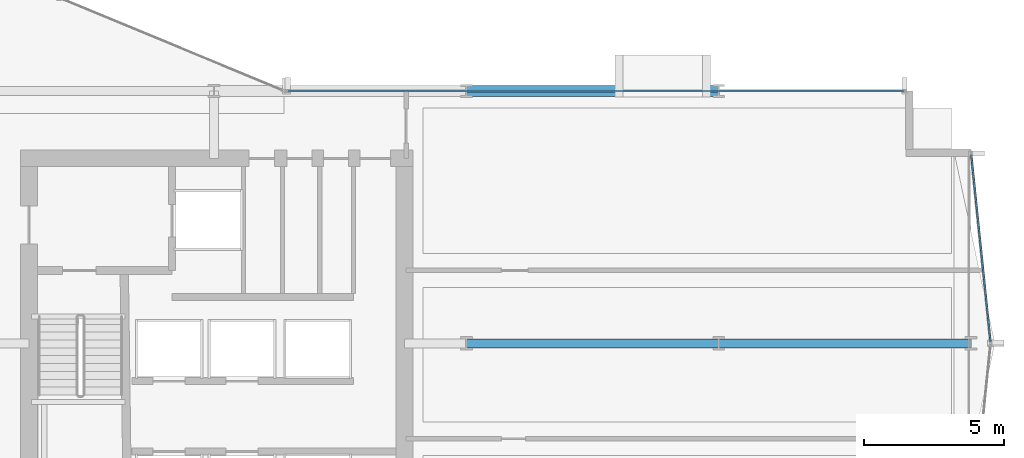
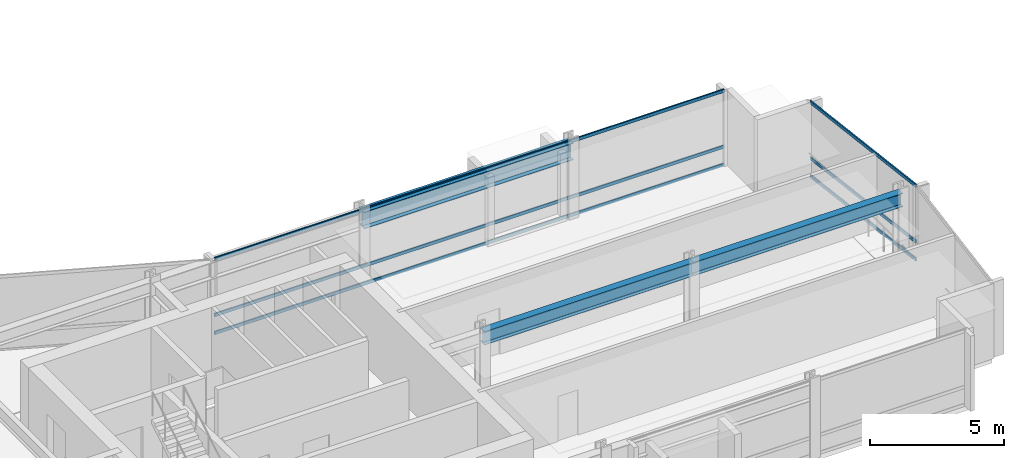
# One storey, part 16 of 34: 6 members, 3 beams, 2 elements without a shape of their own.
"""IFC4 building model written with IfcOpenShell, lengths in metres."""

from ifc_helpers import new_model, si_unit, direction, frame, origin, origin_2d, place, context, subcontext, project, spatial, hollow_rectangle, i_section, extrude, material, layer, layer_set, material_profile, profile_set, type_object, element, aggregate, save


model = new_model("IFC4")

# Units and contexts
model_context = context("Model", 3, precision=1e-05, world=origin(), true_north=direction((0.0, 1.0)))
body_context = subcontext(model_context, "Body", "Model", "MODEL_VIEW")
ifc_project = project(units=[si_unit("LENGTHUNIT", "METRE"), si_unit("AREAUNIT", "SQUARE_METRE"), si_unit("VOLUMEUNIT", "CUBIC_METRE"), si_unit("PLANEANGLEUNIT", "RADIAN"), si_unit("MASSUNIT", "GRAM", prefix="KILO")], contexts=[model_context])

# Site, building, storey
site_placement = place(None, origin())
site = spatial("IfcSite", under=ifc_project, at=site_placement, CompositionType="ELEMENT")
building_placement = place(site_placement, origin())
building = spatial("IfcBuilding", under=site, at=building_placement, Name="Solvaryn Broadcast Tower", CompositionType="ELEMENT")
storey_placement = place(building_placement, frame((0.0, 0.0, 73.0)))
storey = spatial("IfcBuildingStorey", under=building, at=storey_placement, Name="L17", CompositionType="ELEMENT", Elevation=73.0)

# Beams
ifc_material_1 = material(Name="Steel ASTM A992 Grade 50", Category="steel")
ifc_material_profile_1 = material_profile(ifc_material_1, i_section(OverallWidth=0.323974609375, OverallDepth=0.611083984375, WebThickness=0.0126953125, FlangeThickness=0.01904296875, FilletRadius=0.014892578125, at=origin_2d()))
ifc_profile_set_1 = profile_set([ifc_material_profile_1], Name="Steel ASTM A992 Grade 50")
beam_type_1 = type_object("IfcBeamType", Name="BM-B1-W24X104", PredefinedType="BEAM", material=ifc_profile_set_1)
for number, where, z_axis, x_axis, name in (
    (1, (45.0, 18.0, 3.114501953125), (1.0, 0.0, 0.0), (0.0, 1.0, 0.0), "L17 Primary Beam X (45-54 @ Y=18)"),
    (2, (54.0, 18.0, 3.114501953125), (1.0, 0.0, 0.0), (0.0, 1.0, 0.0), "L17 Primary Beam X (54-63 @ Y=18)"),
):
    element("IfcBeam", number, at=place(storey_placement, frame(where, z_axis=z_axis, x_axis=x_axis)), inside=storey, type_object=beam_type_1, Name=name, PredefinedType="BEAM", context=body_context, shape_type="SweptSolid", body=[
        extrude(i_section(OverallWidth=0.323974609375, OverallDepth=0.611083984375, WebThickness=0.0126953125, FlangeThickness=0.01904296875, FilletRadius=0.014892578125, at=origin_2d()), origin(), (0.0, 0.0, 1.0), 9.0),
    ])
ifc_material_2 = material(Name="Steel ASTM A992 Grade 50", Category="steel")
ifc_material_profile_2 = material_profile(ifc_material_2, i_section(OverallWidth=0.381103515625, OverallDepth=0.77294921875, WebThickness=0.0166015625, FlangeThickness=0.027099609375, FilletRadius=0.01806640625, at=origin_2d()))
ifc_profile_set_2 = profile_set([ifc_material_profile_2], Name="Steel ASTM A992 Grade 50")
beam_type_2 = type_object("IfcBeamType", Name="BM-SP1-W30X173", PredefinedType="USERDEFINED", material=ifc_profile_set_2)
beam_placement = place(storey_placement, frame((45.0, 27.0, 3.033447265625), z_axis=(1.0, 0.0, 0.0), x_axis=(0.0, 1.0, 0.0)))
element("IfcBeam", 3, at=beam_placement, inside=storey, type_object=beam_type_2, Name="L17 Spandrel Beam X (45-54 @ Y=27)", ObjectType="SPANDREL", PredefinedType="USERDEFINED", context=body_context, shape_type="SweptSolid", body=[
    extrude(i_section(OverallWidth=0.381103515625, OverallDepth=0.77294921875, WebThickness=0.0166015625, FlangeThickness=0.027099609375, FilletRadius=0.01806640625, at=origin_2d()), origin(), (0.0, 0.0, 1.0), 9.0),
])

# Curtain wall, members
ifc_material_3 = material(Name="Aluminium and Terracotta Unitised Curtain Wall", Category="masonry")
ifc_layer = layer(ifc_material_3, 0.199951171875)
ifc_layer_set = layer_set([ifc_layer], Name="CW-SYS2-LOWMID")
curtain_wall_type = type_object("IfcCurtainWallType", Name="CW-SYS2-LOWMID", PredefinedType="NOTDEFINED", material=ifc_layer_set)
curtain_wall_1_placement = place(storey_placement, origin())
curtain_wall_1 = element("IfcCurtainWall", 4, at=curtain_wall_1_placement, inside=storey, type_object=curtain_wall_type, Name="L17 Curtain Wall ET1", PredefinedType="NOTDEFINED")
ifc_material_4 = material(Name="Anodised Aluminium 6063-T6", Category="aluminium")
ifc_material_profile_3 = material_profile(ifc_material_4, hollow_rectangle(XDim=0.06494140625, YDim=0.14990234375, WallThickness=0.00390625, InnerFilletRadius=0.00390625, OuterFilletRadius=0.008056640625, at=origin_2d()))
ifc_profile_set_3 = profile_set([ifc_material_profile_3], Name="Anodised Aluminium 6063-T6")
member_type = type_object("IfcMemberType", Name="CW-TRN-150", PredefinedType="USERDEFINED", material=ifc_profile_set_3)
member_1_placement = place(storey_placement, frame((63.006103515625, 24.740234375, 0.030029296875), z_axis=(0.102404277363, -0.994742863245, 0.0), x_axis=(0.994742863245, 0.102404277363, 0.0)))
member_1 = element("IfcMember", 5, at=member_1_placement, type_object=member_type, Name="CWS2 transom 1.1", ObjectType="TRANSOM", PredefinedType="USERDEFINED", context=body_context, shape_type="SweptSolid", body=[
    extrude(hollow_rectangle(XDim=0.06494140625, YDim=0.14990234375, WallThickness=0.00390625, InnerFilletRadius=0.00390625, OuterFilletRadius=0.008056640625, at=origin_2d()), origin(), (0.0, 0.0, 1.0), 6.716064453125),
])
member_2_placement = place(storey_placement, frame((63.006103515625, 24.740234375, 0.85009765625), z_axis=(0.102404277363, -0.994742863245, 0.0), x_axis=(0.994742863245, 0.102404277363, 0.0)))
member_2 = element("IfcMember", 6, at=member_2_placement, type_object=member_type, Name="CWS2 transom 1.2", ObjectType="TRANSOM", PredefinedType="USERDEFINED", context=body_context, shape_type="SweptSolid", body=[
    extrude(hollow_rectangle(XDim=0.06494140625, YDim=0.14990234375, WallThickness=0.00390625, InnerFilletRadius=0.00390625, OuterFilletRadius=0.008056640625, at=origin_2d()), origin(), (0.0, 0.0, 1.0), 6.716064453125),
])
member_3_placement = place(storey_placement, frame((63.006103515625, 24.740234375, 3.389892578125), z_axis=(0.102404277363, -0.994742863245, 0.0), x_axis=(0.994742863245, 0.102404277363, 0.0)))
member_3 = element("IfcMember", 7, at=member_3_placement, type_object=member_type, Name="CWS2 transom 1.3", ObjectType="TRANSOM", PredefinedType="USERDEFINED", context=body_context, shape_type="SweptSolid", body=[
    extrude(hollow_rectangle(XDim=0.06494140625, YDim=0.14990234375, WallThickness=0.00390625, InnerFilletRadius=0.00390625, OuterFilletRadius=0.008056640625, at=origin_2d()), origin(), (0.0, 0.0, 1.0), 6.716064453125),
])
aggregate(curtain_wall_1, [member_1, member_2, member_3])

curtain_wall_2_placement = place(storey_placement, origin())
curtain_wall_2 = element("IfcCurtainWall", 8, at=curtain_wall_2_placement, inside=storey, type_object=curtain_wall_type, Name="L17 Curtain Wall IH", PredefinedType="NOTDEFINED")
member_4_placement = place(storey_placement, frame((38.659912109375, 27.0, 0.030029296875), z_axis=(1.0, 0.0, 0.0), x_axis=(0.0, 1.0, 0.0)))
member_4 = element("IfcMember", 9, at=member_4_placement, type_object=member_type, Name="CWS2 transom 1.1", ObjectType="TRANSOM", PredefinedType="USERDEFINED", context=body_context, shape_type="SweptSolid", body=[
    extrude(hollow_rectangle(XDim=0.06494140625, YDim=0.14990234375, WallThickness=0.00390625, InnerFilletRadius=0.00390625, OuterFilletRadius=0.008056640625, at=origin_2d()), origin(), (0.0, 0.0, 1.0), 21.93017578125),
])
member_5_placement = place(storey_placement, frame((38.659912109375, 27.0, 0.85009765625), z_axis=(1.0, 0.0, 0.0), x_axis=(0.0, 1.0, 0.0)))
member_5 = element("IfcMember", 10, at=member_5_placement, type_object=member_type, Name="CWS2 transom 1.2", ObjectType="TRANSOM", PredefinedType="USERDEFINED", context=body_context, shape_type="SweptSolid", body=[
    extrude(hollow_rectangle(XDim=0.06494140625, YDim=0.14990234375, WallThickness=0.00390625, InnerFilletRadius=0.00390625, OuterFilletRadius=0.008056640625, at=origin_2d()), origin(), (0.0, 0.0, 1.0), 21.93017578125),
])
member_6_placement = place(storey_placement, frame((38.659912109375, 27.0, 3.389892578125), z_axis=(1.0, 0.0, 0.0), x_axis=(0.0, 1.0, 0.0)))
member_6 = element("IfcMember", 11, at=member_6_placement, type_object=member_type, Name="CWS2 transom 1.3", ObjectType="TRANSOM", PredefinedType="USERDEFINED", context=body_context, shape_type="SweptSolid", body=[
    extrude(hollow_rectangle(XDim=0.06494140625, YDim=0.14990234375, WallThickness=0.00390625, InnerFilletRadius=0.00390625, OuterFilletRadius=0.008056640625, at=origin_2d()), origin(), (0.0, 0.0, 1.0), 21.93017578125),
])
aggregate(curtain_wall_2, [member_4, member_5, member_6])

save(model, "model.ifc")
